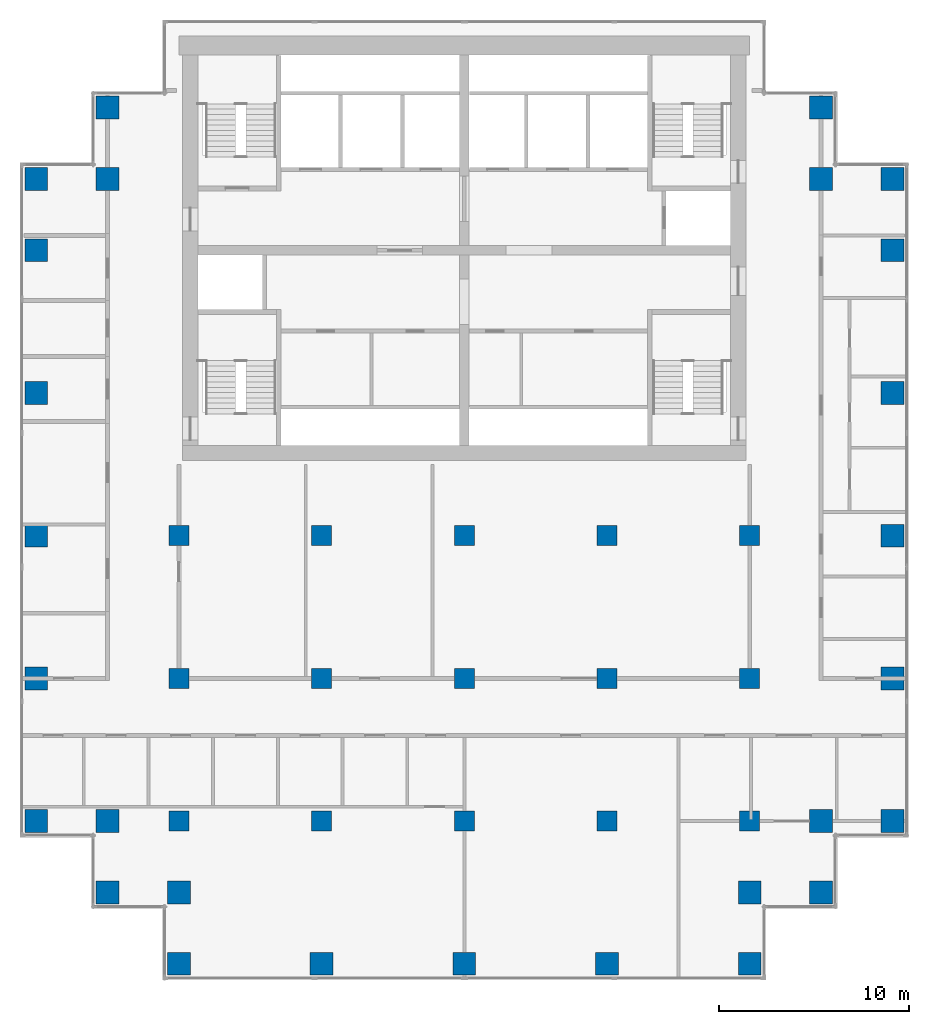
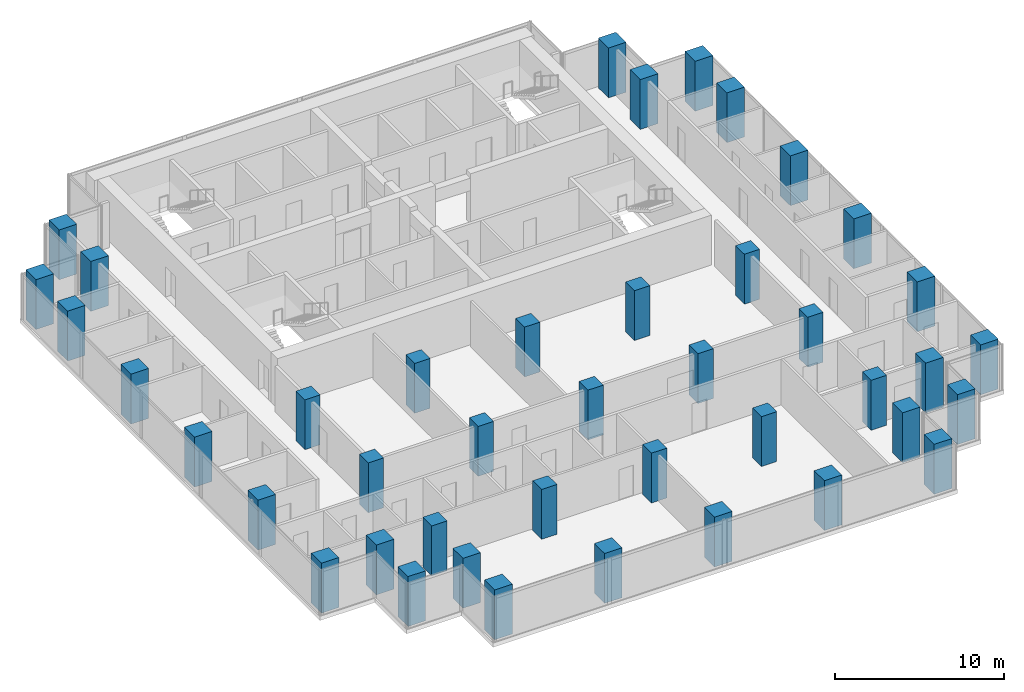
# One storey, part 1 of 11: 42 columns.
"""IFC4 building model written with IfcOpenShell, lengths in metres."""

from ifc_helpers import new_model, si_unit, direction, frame, origin, origin_2d, place, context, subcontext, project, spatial, rectangle, extrude, material, material_profile, profile_set, type_object, element, save


model = new_model("IFC4")

# Units and contexts
model_context = context("Model", 3, precision=1e-05, world=origin(), true_north=direction((0.0, 1.0)))
body_context = subcontext(model_context, "Body", "Model", "MODEL_VIEW")
ifc_project = project(units=[si_unit("LENGTHUNIT", "METRE"), si_unit("AREAUNIT", "SQUARE_METRE"), si_unit("VOLUMEUNIT", "CUBIC_METRE"), si_unit("PLANEANGLEUNIT", "RADIAN"), si_unit("MASSUNIT", "GRAM", prefix="KILO")], contexts=[model_context])

# Site, building, storey
site_placement = place(None, origin())
site = spatial("IfcSite", under=ifc_project, at=site_placement, CompositionType="ELEMENT")
building_placement = place(site_placement, origin())
building = spatial("IfcBuilding", under=site, at=building_placement, Name="Pilkhan Gate Tower", CompositionType="ELEMENT")
storey_placement = place(building_placement, frame((0.0, 0.0, 151.300048828125)))
storey = spatial("IfcBuildingStorey", under=building, at=storey_placement, Name="L38", CompositionType="ELEMENT", Elevation=151.300048828125)

# Columns
ifc_material = material(Name="Concrete C60/75", Category="concrete")
ifc_material_profile_1 = material_profile(ifc_material, rectangle(XDim=1.050048828125, YDim=1.050048828125, at=origin_2d()), Name="RC 1050x1050")
ifc_profile_set_1 = profile_set([ifc_material_profile_1], Name="Concrete C60/75")
column_type_1 = type_object("IfcColumnType", Name="Column C105 RC 1050x1050 C60/75", PredefinedType="COLUMN", material=ifc_profile_set_1)
for number, where, z_axis, x_axis, name in (
    (1, (60.0, 52.5, 0.0), (0.0, 0.0, 1.0), (1.0, 0.0, 0.0), "Column 7/D L38"),
    (2, (60.0, 60.0, 0.0), (0.0, 0.0, 1.0), (1.0, 0.0, 0.0), "Column 7/F L38"),
    (3, (60.0, 67.5, 0.0), (0.0, 0.0, 1.0), (1.0, 0.0, 0.0), "Column 7/H L38"),
    (4, (67.5, 52.5, 0.0), (0.0, 0.0, 1.0), (1.0, 0.0, 0.0), "Column 9/D L38"),
    (5, (67.5, 60.0, 0.0), (0.0, 0.0, 1.0), (1.0, 0.0, 0.0), "Column 9/F L38"),
    (6, (67.5, 67.5, 0.0), (0.0, 0.0, 1.0), (1.0, 0.0, 0.0), "Column 9/H L38"),
    (7, (75.0, 52.5, 0.0), (0.0, 0.0, 1.0), (1.0, 0.0, 0.0), "Column 11/D L38"),
    (8, (75.0, 60.0, 0.0), (0.0, 0.0, 1.0), (1.0, 0.0, 0.0), "Column 11/F L38"),
    (9, (75.0, 67.5, 0.0), (0.0, 0.0, 1.0), (1.0, 0.0, 0.0), "Column 11/H L38"),
    (10, (82.5, 52.5, 0.0), (0.0, 0.0, 1.0), (1.0, 0.0, 0.0), "Column 13/D L38"),
    (11, (82.5, 60.0, 0.0), (0.0, 0.0, 1.0), (1.0, 0.0, 0.0), "Column 13/F L38"),
    (12, (82.5, 67.5, 0.0), (0.0, 0.0, 1.0), (1.0, 0.0, 0.0), "Column 13/H L38"),
    (13, (90.0, 52.5, 0.0), (0.0, 0.0, 1.0), (1.0, 0.0, 0.0), "Column 15/D L38"),
    (14, (90.0, 60.0, 0.0), (0.0, 0.0, 1.0), (1.0, 0.0, 0.0), "Column 15/F L38"),
    (15, (90.0, 67.5, 0.0), (0.0, 0.0, 1.0), (1.0, 0.0, 0.0), "Column 15/H L38"),
):
    element("IfcColumn", number, at=place(storey_placement, frame(where, z_axis=z_axis, x_axis=x_axis)), inside=storey, type_object=column_type_1, Name=name, PredefinedType="COLUMN", context=body_context, shape_type="SweptSolid", body=[
        extrude(rectangle(XDim=1.050048828125, YDim=1.050048828125, at=origin_2d()), origin(), (0.0, 0.0, 1.0), 3.599853515625),
    ])
ifc_material_profile_2 = material_profile(ifc_material, rectangle(XDim=1.199951171875, YDim=1.199951171875, at=origin_2d()), Name="RC 1200x1200")
ifc_profile_set_2 = profile_set([ifc_material_profile_2], Name="Concrete C60/75")
column_type_2 = type_object("IfcColumnType", Name="Column C120 RC 1200x1200 C60/75", PredefinedType="COLUMN", material=ifc_profile_set_2)
for number, where, z_axis, x_axis, name in (
    (16, (52.5, 52.5, 0.0), (0.0, 0.0, 1.0), (1.0, 0.0, 0.0), "Column 5/D L38"),
    (17, (52.5, 60.0, 0.0), (0.0, 0.0, 1.0), (1.0, 0.0, 0.0), "Column 5/F L38"),
    (18, (52.5, 67.5, 0.0), (0.0, 0.0, 1.0), (1.0, 0.0, 0.0), "Column 5/H L38"),
    (19, (52.5, 75.0, 0.0), (0.0, 0.0, 1.0), (1.0, 0.0, 0.0), "Column 5/K L38"),
    (20, (52.5, 82.5, 0.0), (0.0, 0.0, 1.0), (1.0, 0.0, 0.0), "Column 5/M L38"),
    (21, (52.5, 86.25, 0.0), (0.0, 0.0, 1.0), (1.0, 0.0, 0.0), "Column 5/N L38"),
    (22, (56.25, 48.75, 0.0), (0.0, 0.0, 1.0), (1.0, 0.0, 0.0), "Column 6/C L38"),
    (23, (56.25, 52.5, 0.0), (0.0, 0.0, 1.0), (1.0, 0.0, 0.0), "Column 6/D L38"),
    (24, (56.25, 86.25, 0.0), (0.0, 0.0, 1.0), (1.0, 0.0, 0.0), "Column 6/N L38"),
    (25, (56.25, 90.0, 0.0), (0.0, 0.0, 1.0), (1.0, 0.0, 0.0), "Column 6/P L38"),
    (26, (60.0, 45.0, 0.0), (0.0, 0.0, 1.0), (1.0, 0.0, 0.0), "Column 7/B L38"),
    (27, (60.0, 48.75, 0.0), (0.0, 0.0, 1.0), (1.0, 0.0, 0.0), "Column 7/C L38"),
    (28, (67.5, 45.0, 0.0), (0.0, 0.0, 1.0), (1.0, 0.0, 0.0), "Column 9/B L38"),
    (29, (75.0, 45.0, 0.0), (0.0, 0.0, 1.0), (1.0, 0.0, 0.0), "Column 11/B L38"),
    (30, (82.5, 45.0, 0.0), (0.0, 0.0, 1.0), (1.0, 0.0, 0.0), "Column 13/B L38"),
    (31, (90.0, 45.0, 0.0), (0.0, 0.0, 1.0), (1.0, 0.0, 0.0), "Column 15/B L38"),
    (32, (90.0, 48.75, 0.0), (0.0, 0.0, 1.0), (1.0, 0.0, 0.0), "Column 15/C L38"),
    (33, (93.75, 48.75, 0.0), (0.0, 0.0, 1.0), (1.0, 0.0, 0.0), "Column 16/C L38"),
    (34, (93.75, 52.5, 0.0), (0.0, 0.0, 1.0), (1.0, 0.0, 0.0), "Column 16/D L38"),
    (35, (93.75, 86.25, 0.0), (0.0, 0.0, 1.0), (1.0, 0.0, 0.0), "Column 16/N L38"),
    (36, (93.75, 90.0, 0.0), (0.0, 0.0, 1.0), (1.0, 0.0, 0.0), "Column 16/P L38"),
    (37, (97.5, 52.5, 0.0), (0.0, 0.0, 1.0), (1.0, 0.0, 0.0), "Column 17/D L38"),
    (38, (97.5, 60.0, 0.0), (0.0, 0.0, 1.0), (1.0, 0.0, 0.0), "Column 17/F L38"),
    (39, (97.5, 67.5, 0.0), (0.0, 0.0, 1.0), (1.0, 0.0, 0.0), "Column 17/H L38"),
    (40, (97.5, 75.0, 0.0), (0.0, 0.0, 1.0), (1.0, 0.0, 0.0), "Column 17/K L38"),
    (41, (97.5, 82.5, 0.0), (0.0, 0.0, 1.0), (1.0, 0.0, 0.0), "Column 17/M L38"),
    (42, (97.5, 86.25, 0.0), (0.0, 0.0, 1.0), (1.0, 0.0, 0.0), "Column 17/N L38"),
):
    element("IfcColumn", number, at=place(storey_placement, frame(where, z_axis=z_axis, x_axis=x_axis)), inside=storey, type_object=column_type_2, Name=name, PredefinedType="COLUMN", context=body_context, shape_type="SweptSolid", body=[
        extrude(rectangle(XDim=1.199951171875, YDim=1.199951171875, at=origin_2d()), origin(), (0.0, 0.0, 1.0), 3.599853515625),
    ])

save(model, "model.ifc")
